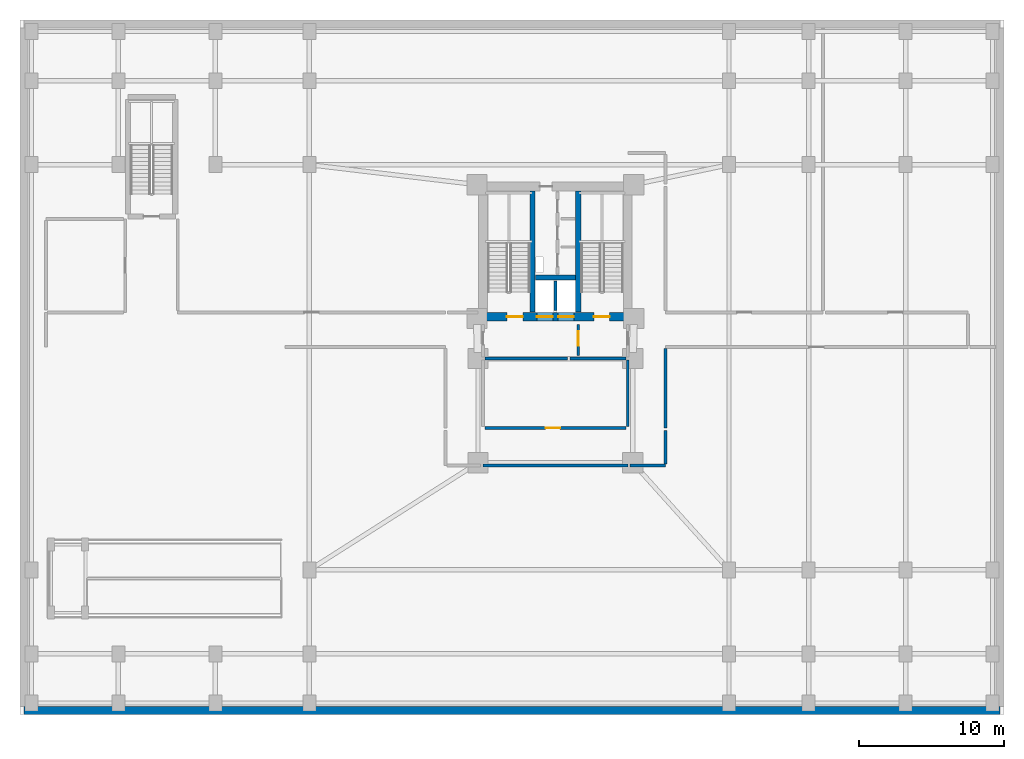
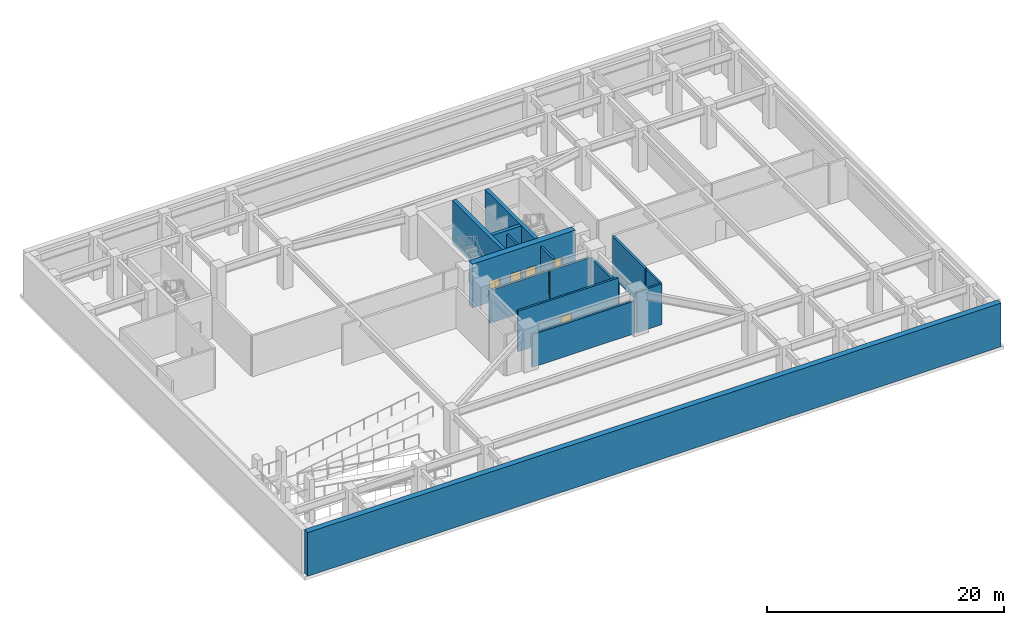
# One storey, part 4 of 8: 15 walls, 6 doors, 6 openings.
"""IFC4 building model written with IfcOpenShell, lengths in metres."""

from ifc_helpers import new_model, si_unit, direction, frame, frame_2d, origin, place, context, subcontext, project, spatial, rectangle, extrude, material, layer, layer_set, type_object, element, fill, save


model = new_model("IFC4")

# Units and contexts
model_context = context("Model", 3, precision=1e-05, world=origin(), true_north=direction((0.0, 1.0)))
body_context = subcontext(model_context, "Body", "Model", "MODEL_VIEW")
ifc_project = project(units=[si_unit("LENGTHUNIT", "METRE"), si_unit("AREAUNIT", "SQUARE_METRE"), si_unit("VOLUMEUNIT", "CUBIC_METRE"), si_unit("PLANEANGLEUNIT", "RADIAN"), si_unit("MASSUNIT", "GRAM", prefix="KILO")], contexts=[model_context])

# Site, building, storey
site_placement = place(None, origin())
site = spatial("IfcSite", under=ifc_project, at=site_placement, CompositionType="ELEMENT")
building_placement = place(site_placement, origin())
building = spatial("IfcBuilding", under=site, at=building_placement, Name="Varnakorn Sky Granary", CompositionType="ELEMENT")
storey_placement = place(building_placement, frame((0.0, 0.0, -4.5)))
storey = spatial("IfcBuildingStorey", under=building, at=storey_placement, Name="B01", CompositionType="ELEMENT", Elevation=-4.5)

# Walls
ifc_material_1 = material(Name="Concrete C50/60", Category="concrete")
ifc_layer_1 = layer(ifc_material_1, 0.35009765625, Name="Concrete C50/60")
ifc_layer_set_1 = layer_set([ifc_layer_1], Name="Concrete C50/60")
wall_type_1 = type_object("IfcWallType", Name="WT-CW-INT-350", PredefinedType="SHEAR", material=ifc_layer_set_1)
for number, where, z_axis, x_axis, name in (
    (1, (1.419921875, 3.81005859375, 0.0), (0.0, 0.0, 1.0), (0.0, 1.0, 0.0), "Stair ST-1 Core Wall B01"),
    (2, (4.580078125, 3.81005859375, 0.0), (0.0, 0.0, 1.0), (0.0, 1.0, 0.0), "Stair ST-2 Core Wall B01"),
):
    element("IfcWall", number, at=place(storey_placement, frame(where, z_axis=z_axis, x_axis=x_axis)), inside=storey, type_object=wall_type_1, Name=name, PredefinedType="SHEAR", context=body_context, shape_type="SweptSolid", body=[
        extrude(rectangle(XDim=8.3798828125, YDim=0.35009765625, at=frame_2d((4.18994140625, 0.0))), origin(), (0.0, 0.0, 1.0), 4.491943359375),
    ])
wall_1_placement = place(storey_placement, frame((1.610107421875, 6.199951171875, 0.0), z_axis=(0.0, 0.0, 1.0), x_axis=(1.0, 0.0, 0.0)))
element("IfcWall", 3, at=wall_1_placement, inside=storey, type_object=wall_type_1, Name="Core Lift Shaft Cross Wall B01", PredefinedType="SHEAR", context=body_context, shape_type="SweptSolid", body=[
    extrude(rectangle(XDim=2.77978515625, YDim=0.35009765625, at=frame_2d((1.389892578125, 0.0))), origin(), (0.0, 0.0, 1.0), 4.491943359375),
])

# Wall, openings, doors
ifc_material_2 = material(Name="Concrete C60/75", Category="concrete")
ifc_layer_2 = layer(ifc_material_2, 0.60009765625, Name="Concrete C60/75")
ifc_layer_set_2 = layer_set([ifc_layer_2], Name="Concrete C60/75")
wall_type_2 = type_object("IfcWallType", Name="WT-CW-SHEAR-600", PredefinedType="SHEAR", material=ifc_layer_set_2)
wall_2_placement = place(storey_placement, frame((-2.0, 3.5, 0.0), z_axis=(0.0, 0.0, 1.0), x_axis=(1.0, 0.0, 0.0)))
wall_2 = element("IfcWall", 4, at=wall_2_placement, inside=storey, type_object=wall_type_2, Name="Core South Shear Wall B01", PredefinedType="SHEAR", context=body_context, shape_type="SweptSolid", body=[
    extrude(rectangle(XDim=10.0, YDim=0.60009765625, at=frame_2d((5.0, 0.0))), origin(), (0.0, 0.0, 1.0), 4.491943359375),
])
opening_1_placement = place(wall_2_placement, frame((1.64990234375, 0.0, 0.0)))
opening_1 = element("IfcOpeningElement", 5, at=opening_1_placement, cuts=wall_2, Name="Opening FD-90", PredefinedType="OPENING", context=body_context, shape_type="SweptSolid", body=[
    extrude(rectangle(XDim=1.10009765625, YDim=2.14990234375, at=frame_2d((0.550048828125, 1.074951171875))), frame((0.0, 0.31005859375, 0.0), z_axis=(0.0, -1.0, 0.0), x_axis=(1.0, 0.0, 0.0)), (0.0, 0.0, 1.0), 0.6201171875),
])
opening_2_placement = place(wall_2_placement, frame((7.64990234375, 0.0, 0.0)))
opening_2 = element("IfcOpeningElement", 6, at=opening_2_placement, cuts=wall_2, Name="Opening FD-90", PredefinedType="OPENING", context=body_context, shape_type="SweptSolid", body=[
    extrude(rectangle(XDim=1.10009765625, YDim=2.14990234375, at=frame_2d((0.550048828125, 1.074951171875))), frame((0.0, 0.31005859375, 0.0), z_axis=(0.0, -1.0, 0.0), x_axis=(1.0, 0.0, 0.0)), (0.0, 0.0, 1.0), 0.6201171875),
])
opening_3_placement = place(wall_2_placement, frame((3.719970703125, 0.0, 0.0)))
opening_3 = element("IfcOpeningElement", 7, at=opening_3_placement, cuts=wall_2, Name="Opening LD-01", PredefinedType="OPENING", context=body_context, shape_type="SweptSolid", body=[
    extrude(rectangle(XDim=1.10009765625, YDim=2.199951171875, at=frame_2d((0.550048828125, 1.10009765625))), frame((0.0, 0.31005859375, 0.0), z_axis=(0.0, -1.0, 0.0), x_axis=(1.0, 0.0, 0.0)), (0.0, 0.0, 1.0), 0.6201171875),
])
opening_4_placement = place(wall_2_placement, frame((5.179931640625, 0.0, 0.0)))
opening_4 = element("IfcOpeningElement", 8, at=opening_4_placement, cuts=wall_2, Name="Opening LD-01", PredefinedType="OPENING", context=body_context, shape_type="SweptSolid", body=[
    extrude(rectangle(XDim=1.10009765625, YDim=2.199951171875, at=frame_2d((0.550048828125, 1.10009765625))), frame((0.0, 0.31005859375, 0.0), z_axis=(0.0, -1.0, 0.0), x_axis=(1.0, 0.0, 0.0)), (0.0, 0.0, 1.0), 0.6201171875),
])
ifc_material_3 = material(Name="Brushed Bronze Stainless Steel", Category="steel")
door_type_1 = type_object("IfcDoorType", Name="DR-LD-1100", OperationType="DOUBLE_DOOR_SLIDING", PredefinedType="DOOR", material=ifc_material_3)
door_1_placement = place(opening_3_placement, origin())
door_1 = element("IfcDoor", 9, at=door_1_placement, inside=storey, type_object=door_type_1, Name="Firefighting Lift FFL-1 Landing Door B01", OperationType="DOUBLE_DOOR_SLIDING", OverallHeight=2.199951171875, OverallWidth=1.10009765625, PredefinedType="DOOR", context=body_context, shape_type="SweptSolid", body=[
    extrude(rectangle(XDim=1.10009765625, YDim=2.199951171875, at=frame_2d((0.550048828125, 1.10009765625))), frame((0.0, 0.02490234375, 0.0), z_axis=(0.0, -1.0, 0.0), x_axis=(1.0, 0.0, 0.0)), (0.0, 0.0, 1.0), 0.050048828125),
])
fill(opening_3, door_1)
door_2_placement = place(opening_4_placement, origin())
door_2 = element("IfcDoor", 10, at=door_2_placement, inside=storey, type_object=door_type_1, Name="Firefighting Lift FFL-2 Landing Door B01", OperationType="DOUBLE_DOOR_SLIDING", OverallHeight=2.199951171875, OverallWidth=1.10009765625, PredefinedType="DOOR", context=body_context, shape_type="SweptSolid", body=[
    extrude(rectangle(XDim=1.10009765625, YDim=2.199951171875, at=frame_2d((0.550048828125, 1.10009765625))), frame((0.0, 0.02490234375, 0.0), z_axis=(0.0, -1.0, 0.0), x_axis=(1.0, 0.0, 0.0)), (0.0, 0.0, 1.0), 0.050048828125),
])
fill(opening_4, door_2)
ifc_material_4 = material(Name="Galvanised Painted Steel Leaf", Category="steel")
door_type_2 = type_object("IfcDoorType", Name="DR-STAIR-1100", OperationType="NOTDEFINED", PredefinedType="DOOR", material=ifc_material_4)
door_3_placement = place(opening_1_placement, origin())
door_3 = element("IfcDoor", 11, at=door_3_placement, inside=storey, type_object=door_type_2, Name="Stair ST-1 Protected Fire Door B01", OperationType="SINGLE_SWING_LEFT", OverallHeight=2.14990234375, OverallWidth=1.10009765625, PredefinedType="DOOR", context=body_context, shape_type="SweptSolid", body=[
    extrude(rectangle(XDim=1.10009765625, YDim=2.14990234375, at=frame_2d((0.550048828125, 1.074951171875))), frame((0.0, 0.02490234375, 0.0), z_axis=(0.0, -1.0, 0.0), x_axis=(1.0, 0.0, 0.0)), (0.0, 0.0, 1.0), 0.050048828125),
])
fill(opening_1, door_3)
door_4_placement = place(opening_2_placement, origin())
door_4 = element("IfcDoor", 12, at=door_4_placement, inside=storey, type_object=door_type_2, Name="Stair ST-2 Protected Fire Door B01", OperationType="SINGLE_SWING_RIGHT", OverallHeight=2.14990234375, OverallWidth=1.10009765625, PredefinedType="DOOR", context=body_context, shape_type="SweptSolid", body=[
    extrude(rectangle(XDim=1.10009765625, YDim=2.14990234375, at=frame_2d((0.550048828125, 1.074951171875))), frame((0.0, 0.02490234375, 0.0), z_axis=(0.0, -1.0, 0.0), x_axis=(1.0, 0.0, 0.0)), (0.0, 0.0, 1.0), 0.050048828125),
])
fill(opening_2, door_4)

# Wall, opening, door
ifc_material_5 = material(Name="Autoclaved Aerated Concrete Blockwork", Category="masonry")
ifc_layer_3 = layer(ifc_material_5, 0.199951171875, Name="Autoclaved Aerated Concrete Blockwork")
ifc_layer_set_3 = layer_set([ifc_layer_3], Name="Autoclaved Aerated Concrete Blockwork")
wall_type_3 = type_object("IfcWallType", Name="WT-FIRE-200", PredefinedType="MOVABLE", material=ifc_layer_set_3)
wall_3_placement = place(storey_placement, frame((4.580078125, 0.830078125, 0.0), z_axis=(0.0, 0.0, 1.0), x_axis=(0.0, 1.0, 0.0)))
wall_3 = element("IfcWall", 13, at=wall_3_placement, inside=storey, type_object=wall_type_3, Name="Interior Partition Wall B01-004", PredefinedType="MOVABLE", context=body_context, shape_type="SweptSolid", body=[
    extrude(rectangle(XDim=2.139892578125, YDim=0.199951171875, at=frame_2d((1.06982421875, 0.0))), origin(), (0.0, 0.0, 1.0), 4.179931640625),
])
opening_5_placement = place(wall_3_placement, frame((0.659912109375, 0.0, 0.0)))
opening_5 = element("IfcOpeningElement", 14, at=opening_5_placement, cuts=wall_3, Name="Opening FD-60", PredefinedType="OPENING", context=body_context, shape_type="SweptSolid", body=[
    extrude(rectangle(XDim=1.0, YDim=2.10009765625, at=frame_2d((0.5, 1.050048828125))), frame((0.0, 0.10986328125, 0.0), z_axis=(0.0, -1.0, 0.0), x_axis=(1.0, 0.0, 0.0)), (0.0, 0.0, 1.0), 0.219970703125),
])
ifc_material_6 = material(Name="Acoustic Timber Fire Leaf", Category="wood")
door_type_3 = type_object("IfcDoorType", Name="DR-FD60-1000", OperationType="NOTDEFINED", PredefinedType="DOOR", material=ifc_material_6)
door_5_placement = place(opening_5_placement, origin())
door_5 = element("IfcDoor", 15, at=door_5_placement, inside=storey, type_object=door_type_3, Name="Interior Door B01-004-1", OperationType="SINGLE_SWING_LEFT", OverallHeight=2.10009765625, OverallWidth=1.0, PredefinedType="DOOR", context=body_context, shape_type="SweptSolid", body=[
    extrude(rectangle(XDim=1.0, YDim=2.10009765625, at=frame_2d((0.5, 1.050048828125))), frame((0.0, 0.02490234375, 0.0), z_axis=(0.0, -1.0, 0.0), x_axis=(1.0, 0.0, 0.0)), (0.0, 0.0, 1.0), 0.050048828125),
])
fill(opening_5, door_5)

wall_4_placement = place(storey_placement, frame((-1.8798828125, -4.199951171875, 0.0), z_axis=(0.0, 0.0, 1.0), x_axis=(1.0, 0.0, 0.0)))
wall_4 = element("IfcWall", 16, at=wall_4_placement, inside=storey, type_object=wall_type_3, Name="Interior Partition Wall B01-007", PredefinedType="MOVABLE", context=body_context, shape_type="SweptSolid", body=[
    extrude(rectangle(XDim=9.759765625, YDim=0.199951171875, at=frame_2d((4.8798828125, 0.0))), origin(), (0.0, 0.0, 1.0), 4.179931640625),
])
opening_6_placement = place(wall_4_placement, frame((4.199951171875, 0.0, 0.0)))
opening_6 = element("IfcOpeningElement", 17, at=opening_6_placement, cuts=wall_4, Name="Opening FD-60", PredefinedType="OPENING", context=body_context, shape_type="SweptSolid", body=[
    extrude(rectangle(XDim=1.0, YDim=2.10009765625, at=frame_2d((0.5, 1.050048828125))), frame((0.0, 0.10986328125, 0.0), z_axis=(0.0, -1.0, 0.0), x_axis=(1.0, 0.0, 0.0)), (0.0, 0.0, 1.0), 0.219970703125),
])
door_6_placement = place(opening_6_placement, origin())
door_6 = element("IfcDoor", 18, at=door_6_placement, inside=storey, type_object=door_type_3, Name="Interior Door B01-007-1", OperationType="SINGLE_SWING_RIGHT", OverallHeight=2.10009765625, OverallWidth=1.0, PredefinedType="DOOR", context=body_context, shape_type="SweptSolid", body=[
    extrude(rectangle(XDim=1.0, YDim=2.10009765625, at=frame_2d((0.5, 1.050048828125))), frame((0.0, 0.02490234375, 0.0), z_axis=(0.0, -1.0, 0.0), x_axis=(1.0, 0.0, 0.0)), (0.0, 0.0, 1.0), 0.050048828125),
])
fill(opening_6, door_6)

# Walls
wall_5_placement = place(storey_placement, frame((-1.8798828125, 0.60009765625, 0.0), z_axis=(0.0, 0.0, 1.0), x_axis=(1.0, 0.0, 0.0)))
element("IfcWall", 19, at=wall_5_placement, inside=storey, type_object=wall_type_3, Name="Interior Partition Wall B01-015", PredefinedType="MOVABLE", context=body_context, shape_type="SweptSolid", body=[
    extrude(rectangle(XDim=5.719970703125, YDim=0.199951171875, at=frame_2d((2.85986328125, 0.0))), origin(), (0.0, 0.0, 1.0), 3.362060546875),
])
wall_6_placement = place(storey_placement, frame((8.0, -4.090087890625, 0.0), z_axis=(0.0, 0.0, 1.0), x_axis=(0.0, 1.0, 0.0)))
element("IfcWall", 20, at=wall_6_placement, inside=storey, type_object=wall_type_3, Name="Interior Partition Wall B01-017", PredefinedType="MOVABLE", context=body_context, shape_type="SweptSolid", body=[
    extrude(rectangle(XDim=4.590087890625, YDim=0.199951171875, at=frame_2d((2.294921875, 0.0))), origin(), (0.0, 0.0, 1.0), 3.362060546875),
])
wall_7_placement = place(storey_placement, frame((-2.0, -6.800048828125, 0.0), z_axis=(0.0, 0.0, 1.0), x_axis=(1.0, 0.0, 0.0)))
element("IfcWall", 21, at=wall_7_placement, inside=storey, type_object=wall_type_3, Name="Interior Partition Wall B01-019", PredefinedType="MOVABLE", context=body_context, shape_type="SweptSolid", body=[
    extrude(rectangle(XDim=10.0, YDim=0.199951171875, at=frame_2d((5.0, 0.0))), origin(), (0.0, 0.0, 1.0), 3.362060546875),
])
wall_8_placement = place(storey_placement, frame((10.60009765625, -4.199951171875, 0.0), z_axis=(0.0, 0.0, 1.0), x_axis=(0.0, 1.0, 0.0)))
element("IfcWall", 22, at=wall_8_placement, inside=storey, type_object=wall_type_3, Name="Interior Partition Wall B01-021", PredefinedType="MOVABLE", context=body_context, shape_type="SweptSolid", body=[
    extrude(rectangle(XDim=5.489990234375, YDim=0.199951171875, at=frame_2d((2.7451171875, 0.0))), origin(), (0.0, 0.0, 1.0), 4.179931640625),
])
wall_9_placement = place(storey_placement, frame((8.159912109375, -6.800048828125, 0.0), z_axis=(0.0, 0.0, 1.0), x_axis=(1.0, 0.0, 0.0)))
element("IfcWall", 23, at=wall_9_placement, inside=storey, type_object=wall_type_3, Name="Interior Partition Wall B01-024", PredefinedType="MOVABLE", context=body_context, shape_type="SweptSolid", body=[
    extrude(rectangle(XDim=2.440185546875, YDim=0.199951171875, at=frame_2d((1.22021484375, 0.0))), origin(), (0.0, 0.0, 1.0), 4.179931640625),
])
wall_10_placement = place(storey_placement, frame((10.60009765625, -6.68994140625, 0.0), z_axis=(0.0, 0.0, 1.0), x_axis=(0.0, 1.0, 0.0)))
element("IfcWall", 24, at=wall_10_placement, inside=storey, type_object=wall_type_3, Name="Interior Partition Wall B01-025", PredefinedType="MOVABLE", context=body_context, shape_type="SweptSolid", body=[
    extrude(rectangle(XDim=2.329833984375, YDim=0.199951171875, at=frame_2d((1.1650390625, 0.0))), origin(), (0.0, 0.0, 1.0), 4.179931640625),
])
ifc_layer_4 = layer(ifc_material_1, 0.550048828125, Name="Concrete C50/60")
ifc_layer_set_4 = layer_set([ifc_layer_4], Name="Concrete C50/60")
wall_type_4 = type_object("IfcWallType", Name="WT-RW-BSMT-550", PredefinedType="SOLIDWALL", material=ifc_layer_set_4)
wall_11_placement = place(storey_placement, frame((-33.72509765625, -23.72509765625, 0.0), z_axis=(0.0, 0.0, 1.0), x_axis=(1.0, 0.0, 0.0)))
element("IfcWall", 25, at=wall_11_placement, inside=storey, type_object=wall_type_4, Name="Basement Perimeter Retaining Wall B01-S", PredefinedType="SOLIDWALL", context=body_context, shape_type="SweptSolid", body=[
    extrude(rectangle(XDim=67.4501953125, YDim=0.550048828125, at=frame_2d((33.72509765625, 0.0))), origin(), (0.0, 0.0, 1.0), 4.491943359375),
])
ifc_layer_5 = layer(ifc_material_5, 0.199951171875, Name="Autoclaved Aerated Concrete Blockwork")
ifc_layer_set_5 = layer_set([ifc_layer_5], Name="Autoclaved Aerated Concrete Blockwork")
wall_type_5 = type_object("IfcWallType", Name="WT-SHAFT-200", PredefinedType="SOLIDWALL", material=ifc_layer_set_5)
wall_12_placement = place(storey_placement, frame((3.0, 3.919921875, 0.0), z_axis=(0.0, 0.0, 1.0), x_axis=(0.0, 1.0, 0.0)))
element("IfcWall", 26, at=wall_12_placement, inside=storey, type_object=wall_type_5, Name="Interior Partition Wall B01-001", PredefinedType="SOLIDWALL", context=body_context, shape_type="SweptSolid", body=[
    extrude(rectangle(XDim=2.030029296875, YDim=0.199951171875, at=frame_2d((1.01513671875, 0.0))), origin(), (0.0, 0.0, 1.0), 4.179931640625),
])
wall_13_placement = place(storey_placement, frame((4.0, 0.60009765625, 0.0), z_axis=(0.0, 0.0, 1.0), x_axis=(1.0, 0.0, 0.0)))
element("IfcWall", 27, at=wall_13_placement, inside=storey, type_object=wall_type_5, Name="Interior Partition Wall B01-002", PredefinedType="SOLIDWALL", context=body_context, shape_type="SweptSolid", body=[
    extrude(rectangle(XDim=3.8798828125, YDim=0.199951171875, at=frame_2d((1.93994140625, 0.0))), origin(), (0.0, 0.0, 1.0), 3.362060546875),
])

save(model, "model.ifc")
